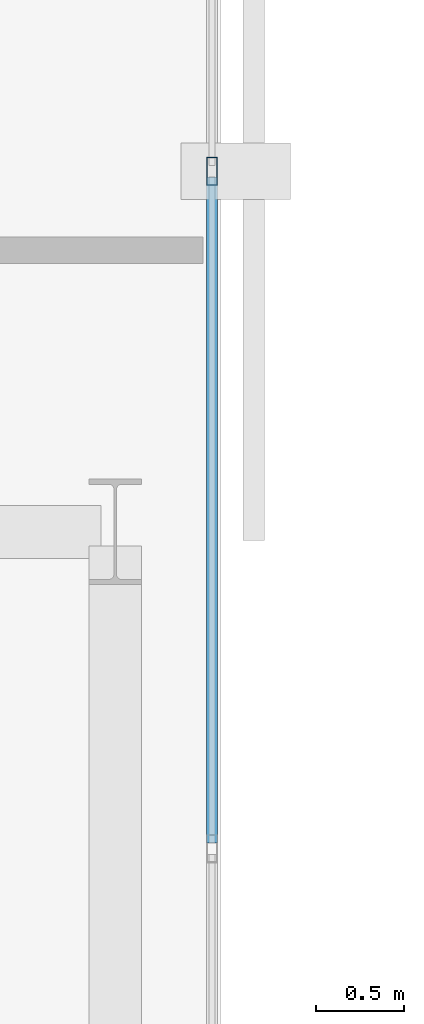
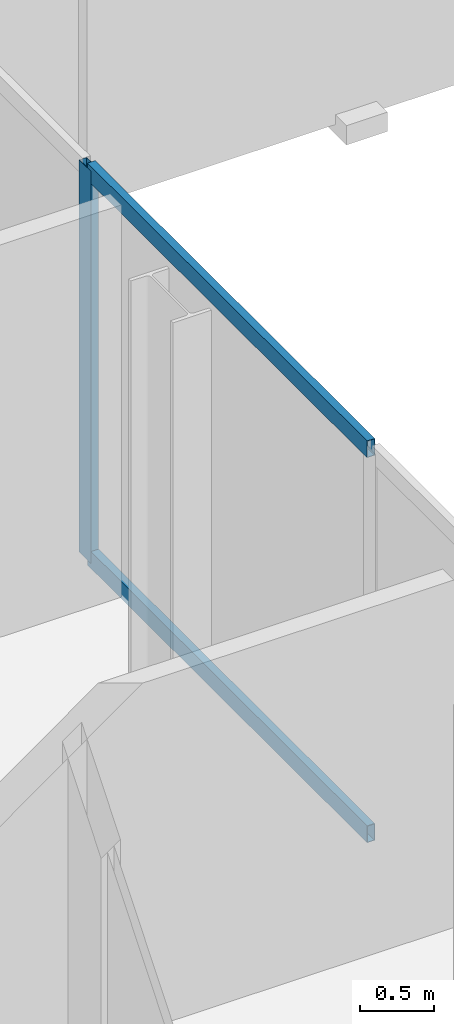
# One storey, part 8 of 32: 3 members, 1 element without a shape of its own.
"""IFC4 building model written with IfcOpenShell, lengths in metres."""

from ifc_helpers import new_model, si_unit, direction, frame, origin, origin_2d, place, context, subcontext, project, spatial, hollow_rectangle, extrude, material, layer, layer_set, material_profile, profile_set, type_object, element, aggregate, save


model = new_model("IFC4")

# Units and contexts
model_context = context("Model", 3, precision=1e-05, world=origin(), true_north=direction((0.0, 1.0)))
body_context = subcontext(model_context, "Body", "Model", "MODEL_VIEW")
ifc_project = project(units=[si_unit("LENGTHUNIT", "METRE"), si_unit("AREAUNIT", "SQUARE_METRE"), si_unit("VOLUMEUNIT", "CUBIC_METRE"), si_unit("PLANEANGLEUNIT", "RADIAN"), si_unit("MASSUNIT", "GRAM", prefix="KILO")], contexts=[model_context])

# Site, building, storey
site_placement = place(None, origin())
site = spatial("IfcSite", under=ifc_project, at=site_placement, CompositionType="ELEMENT")
building_placement = place(site_placement, origin())
building = spatial("IfcBuilding", under=site, at=building_placement, Name="Catumbela Crestline Tower", CompositionType="ELEMENT")
storey_placement = place(building_placement, frame((0.0, 0.0, 140.4)))
storey = spatial("IfcBuildingStorey", under=building, at=storey_placement, Name="L36", CompositionType="ELEMENT", Elevation=140.4)

# Curtain wall, members
ifc_material = material(Name="Aluminium alloy AW-6060-T66", Category="aluminium")
ifc_layer = layer(ifc_material, 0.18, Name="Aluminium alloy AW-6060-T66")
ifc_layer_set = layer_set([ifc_layer], Name="Aluminium alloy AW-6060-T66")
curtain_wall_type = type_object("IfcCurtainWallType", Name="CWU-Z2", PredefinedType="USERDEFINED", material=ifc_layer_set)
curtain_wall_placement = place(storey_placement, origin())
curtain_wall = element("IfcCurtainWall", 1, at=curtain_wall_placement, inside=storey, type_object=curtain_wall_type, Name="L36 Unitised Curtain Wall CW-L36-E2S1", ObjectType="UNITISED", PredefinedType="USERDEFINED")
ifc_material_profile_1 = material_profile(ifc_material, hollow_rectangle(XDim=0.06, YDim=0.16, WallThickness=0.004, at=origin_2d()), Name="ALU 160x60x4")
ifc_profile_set_1 = profile_set([ifc_material_profile_1], Name="Aluminium alloy AW-6060-T66")
member_type_1 = type_object("IfcMemberType", Name="MUL-160X60", PredefinedType="MULLION", material=ifc_profile_set_1)
member_1_placement = place(storey_placement, frame((23.95, 20.05, 0.0), z_axis=(0.0, 0.0, 1.0), x_axis=(-1.0, 0.0, 0.0)))
member_1 = element("IfcMember", 2, at=member_1_placement, type_object=member_type_1, Name="CWU-Z2 mullion 4", PredefinedType="MULLION", context=body_context, shape_type="SweptSolid", body=[
    extrude(hollow_rectangle(XDim=0.06, YDim=0.16, WallThickness=0.004, at=origin_2d()), origin(), (0.0, 0.0, 1.0), 3.24),
])
ifc_material_profile_2 = material_profile(ifc_material, hollow_rectangle(XDim=0.06, YDim=0.14, WallThickness=0.004, at=origin_2d()), Name="ALU 140x60x4")
ifc_profile_set_2 = profile_set([ifc_material_profile_2], Name="Aluminium alloy AW-6060-T66")
member_type_2 = type_object("IfcMemberType", Name="TRN-140X60", PredefinedType="USERDEFINED", material=ifc_profile_set_2)
member_2_placement = place(storey_placement, frame((23.95, 16.2325, 0.03), z_axis=(0.0, 1.0, 0.0), x_axis=(-1.0, 0.0, 0.0)))
member_2 = element("IfcMember", 3, at=member_2_placement, type_object=member_type_2, Name="CWU-Z2 transom 3.1", ObjectType="TRANSOM", PredefinedType="USERDEFINED", context=body_context, shape_type="SweptSolid", body=[
    extrude(hollow_rectangle(XDim=0.06, YDim=0.14, WallThickness=0.004, at=origin_2d()), origin(), (0.0, 0.0, 1.0), 3.785),
])
member_3_placement = place(storey_placement, frame((23.95, 16.2325, 3.21), z_axis=(0.0, 1.0, 0.0), x_axis=(-1.0, 0.0, 0.0)))
member_3 = element("IfcMember", 4, at=member_3_placement, type_object=member_type_2, Name="CWU-Z2 transom 3.2", ObjectType="TRANSOM", PredefinedType="USERDEFINED", context=body_context, shape_type="SweptSolid", body=[
    extrude(hollow_rectangle(XDim=0.06, YDim=0.14, WallThickness=0.004, at=origin_2d()), origin(), (0.0, 0.0, 1.0), 3.785),
])
aggregate(curtain_wall, [member_1, member_2, member_3])

save(model, "model.ifc")
